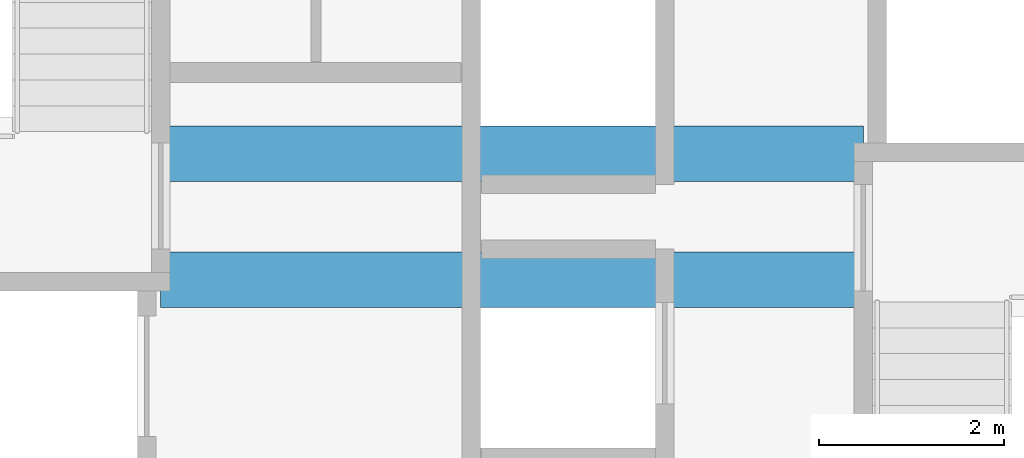
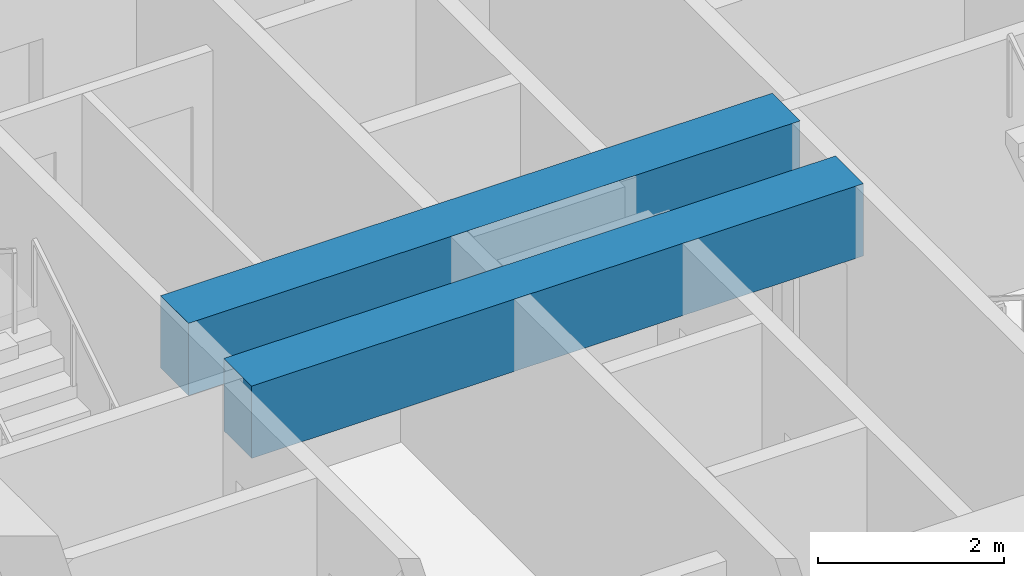
# One storey, part 7 of 46: 2 beams.
"""IFC4 building model written with IfcOpenShell, lengths in metres."""

import ifcopenshell
import ifcopenshell.guid

model = None  # the IFC model being written
_history = None  # IfcOwnerHistory: only IFC2X3 demands one
_inside = {}  # id of a spatial element -> (the spatial element, [elements in it])
_under = {}  # id of a project, library or spatial element -> (it, [spatial elements below it])
_declared = {}  # id of a project -> (the project, [libraries it declares])
_typed = {}  # id of a type object -> (the type object, [elements of that type])
_made_of = {}  # id of a material, layer set ... -> (it, [elements and type objects made of it])


def new_model(schema):
    """Start an empty IFC model of exactly this schema.

    Asked for "IFC4X3", IfcOpenShell would pick the latest addendum, in which some entities
    have other attributes; the version numbers below select the first issue.
    IFC2X3 requires an IfcOwnerHistory on every rooted entity: one is made here for all.
    """
    global model, _history
    if schema == "IFC4X3":
        model = ifcopenshell.file(schema_version=(4, 3, 0, 0))
    else:
        model = ifcopenshell.file(schema=schema)
    _inside.clear()
    _under.clear()
    _declared.clear()
    _typed.clear()
    _made_of.clear()
    _history = None
    if model.schema == "IFC2X3":
        org = make("IfcOrganization", Name="unknown")
        user = make(
            "IfcPersonAndOrganization",
            ThePerson=make("IfcPerson", FamilyName="unknown"),
            TheOrganization=org,
        )
        app = make(
            "IfcApplication",
            ApplicationDeveloper=org,
            Version="unknown",
            ApplicationFullName="unknown",
            ApplicationIdentifier="unknown",
        )
        _history = make(
            "IfcOwnerHistory",
            OwningUser=user,
            OwningApplication=app,
            ChangeAction="ADDED",
            CreationDate=0,
        )
    return model


def make(cls, **values):
    """One entity of the class cls with the attributes given. An attribute that is None is left unset."""
    return model.create_entity(
        cls, **{name: value for name, value in values.items() if value is not None}
    )


def rooted(cls, **values):
    """An entity with a GlobalId (a new one), such as an element, a storey or a relation."""
    return make(cls, GlobalId=ifcopenshell.guid.new(), OwnerHistory=_history, **values)


def si_unit(unit_type, name, prefix=None):
    """IfcSIUnit, for example si_unit("LENGTHUNIT", "METRE", prefix="MILLI")."""
    return make("IfcSIUnit", UnitType=unit_type, Prefix=prefix, Name=name)


def assignment(units):
    """IfcUnitAssignment: the units of a project."""
    return None if units is None else make("IfcUnitAssignment", Units=units)


def point(xyz):
    """IfcCartesianPoint."""
    return None if xyz is None else make("IfcCartesianPoint", Coordinates=xyz)


def direction(xyz):
    """IfcDirection."""
    return None if xyz is None else make("IfcDirection", DirectionRatios=xyz)


def frame(location, z_axis=None, x_axis=None):
    """IfcAxis2Placement3D, a coordinate frame: its origin and axes. An axis left out is left unset."""
    return make(
        "IfcAxis2Placement3D",
        Location=point(location),
        Axis=direction(z_axis),
        RefDirection=direction(x_axis),
    )


def frame_2d(location, x_axis=None):
    """IfcAxis2Placement2D, a coordinate frame in the plane: its origin and x axis."""
    return make(
        "IfcAxis2Placement2D", Location=point(location), RefDirection=direction(x_axis)
    )


def origin():
    """The frame at (0, 0, 0) with its axes left unset."""
    return frame((0.0, 0.0, 0.0))


def origin_2d():
    """The frame at (0, 0) in the plane with its x axis left unset."""
    return frame_2d((0.0, 0.0))


def place(relative_to, where):
    """IfcLocalPlacement: puts the frame where relative to a parent placement (None: the world)."""
    return make(
        "IfcLocalPlacement", PlacementRelTo=relative_to, RelativePlacement=where
    )


def context(
    kind, dimensions, precision=None, world=None, true_north=None, identifier=None
):
    """IfcGeometricRepresentationContext, for example the 3D "Model" context."""
    return make(
        "IfcGeometricRepresentationContext",
        ContextIdentifier=identifier,
        ContextType=kind,
        CoordinateSpaceDimension=dimensions,
        Precision=precision,
        WorldCoordinateSystem=world,
        TrueNorth=true_north,
    )


def subcontext(parent, identifier, kind, view, scale=None):
    """IfcGeometricRepresentationSubContext, for example "Body" below "Model"."""
    return make(
        "IfcGeometricRepresentationSubContext",
        ContextIdentifier=identifier,
        ContextType=kind,
        ParentContext=parent,
        TargetScale=scale,
        TargetView=view,
    )


def project(units=None, contexts=None):
    """IfcProject with its units and contexts."""
    return rooted(
        "IfcProject",
        Name="project",
        RepresentationContexts=contexts,
        UnitsInContext=assignment(units),
    )


def spatial(cls, under=None, at=None, **own):
    """A site, building, storey or space (cls), placed at a placement, below another one or the project."""
    s = rooted(cls, ObjectPlacement=at, **own)
    if under is not None:
        _under.setdefault(under.id(), (under, []))[1].append(s)
    return s


def profile(cls, at=None, kind="AREA", **sizes):
    """A parametric profile (cls). Its sizes go by their IFC names, for example OverallWidth=200.0."""
    return make(cls, ProfileType=kind, Position=at, **sizes)


def rectangle(**sizes):
    """IfcRectangleProfileDef."""
    return profile("IfcRectangleProfileDef", **sizes)


def extrude(swept, where, along, depth):
    """IfcExtrudedAreaSolid: the profile swept, set in the frame where, extruded along a direction by depth."""
    return make(
        "IfcExtrudedAreaSolid",
        SweptArea=swept,
        Position=where,
        ExtrudedDirection=direction(along),
        Depth=depth,
    )


def shape(context_of_items, identifier, shape_type, items):
    """IfcShapeRepresentation: the items that make up one representation, for example the "Body"."""
    return make(
        "IfcShapeRepresentation",
        ContextOfItems=context_of_items,
        RepresentationIdentifier=identifier,
        RepresentationType=shape_type,
        Items=items,
    )


def material(Name=None, Category=None):
    """IfcMaterial."""
    return make("IfcMaterial", Name=Name, Category=Category)


def material_profile(
    of_material, cross_section, Name=None, Category=None, Priority=None
):
    """IfcMaterialProfile: a cross section and its material."""
    return make(
        "IfcMaterialProfile",
        Name=Name,
        Material=of_material,
        Profile=cross_section,
        Priority=Priority,
        Category=Category,
    )


def profile_set(profiles, Name=None, composite=None):
    """IfcMaterialProfileSet."""
    return make(
        "IfcMaterialProfileSet",
        Name=Name,
        MaterialProfiles=profiles,
        CompositeProfile=composite,
    )


def made_of(thing, what):
    """Note that an element or type object is made of a material, layer set ...; save() writes the relation."""
    if what is not None:
        _made_of.setdefault(what.id(), (what, []))[1].append(thing)
    return thing


def type_object(cls, material=None, **own):
    """A type object (cls), such as IfcWallType, which elements share."""
    return made_of(rooted(cls, **own), material)


def element(
    cls,
    number,
    at=None,
    inside=None,
    cuts=None,
    type_object=None,
    material=None,
    context=None,
    identifier="Body",
    shape_type=None,
    held_by="IfcProductDefinitionShape",
    body=None,
    shapes=None,
    **own,
):
    """One element of the class cls, such as IfcWall. Its Tag is "e" and its number.

    at: its placement. inside: the storey or other place that contains it. cuts: it is an
    opening in that element (IfcRelVoidsElement). A single representation is given by context,
    identifier, shape_type and body (its items); several are given by shapes. held_by: the class
    of the entity that holds the representations. save() writes the other relations.
    """
    e = rooted(cls, Tag="e%d" % number, ObjectPlacement=at, **own)
    if body is not None:
        shapes = [shape(context, identifier, shape_type, body)]
    if shapes is not None:
        e.Representation = make(held_by, Representations=shapes)
    if inside is not None:
        _inside.setdefault(inside.id(), (inside, []))[1].append(e)
    if cuts is not None:
        rooted(
            "IfcRelVoidsElement", RelatingBuildingElement=cuts, RelatedOpeningElement=e
        )
    if type_object is not None:
        _typed.setdefault(type_object.id(), (type_object, []))[1].append(e)
    return made_of(e, material)


def aggregate(whole, parts):
    """IfcRelAggregates: a whole, such as a stair, and the parts it consists of."""
    return rooted("IfcRelAggregates", RelatingObject=whole, RelatedObjects=parts)


def save(model, path):
    """Write the relations noted so far, then the file.

    IfcRelAggregates (storeys below a building ...), IfcRelContainedInSpatialStructure (elements
    in a storey), IfcRelDefinesByType, IfcRelAssociatesMaterial and IfcRelDeclares: one each for
    every whole, place, type object, material and project.
    """
    for whole, parts in _under.values():
        aggregate(whole, parts)
    for where, things in _inside.values():
        rooted(
            "IfcRelContainedInSpatialStructure",
            RelatedElements=things,
            RelatingStructure=where,
        )
    for kind, things in _typed.values():
        rooted("IfcRelDefinesByType", RelatedObjects=things, RelatingType=kind)
    for what, things in _made_of.values():
        rooted("IfcRelAssociatesMaterial", RelatedObjects=things, RelatingMaterial=what)
    for by, libraries in _declared.values():
        rooted("IfcRelDeclares", RelatingContext=by, RelatedDefinitions=libraries)
    model.write(path)


model = new_model("IFC4")

# Units and contexts
model_context = context("Model", 3, precision=1e-05, world=origin(), true_north=direction((0.0, 1.0)))
body_context = subcontext(model_context, "Body", "Model", "MODEL_VIEW")
ifc_project = project(units=[si_unit("LENGTHUNIT", "METRE"), si_unit("AREAUNIT", "SQUARE_METRE"), si_unit("VOLUMEUNIT", "CUBIC_METRE"), si_unit("PLANEANGLEUNIT", "RADIAN"), si_unit("MASSUNIT", "GRAM", prefix="KILO")], contexts=[model_context])

# Site, building, storey
site_placement = place(None, origin())
site = spatial("IfcSite", under=ifc_project, at=site_placement, CompositionType="ELEMENT")
building_placement = place(site_placement, origin())
building = spatial("IfcBuilding", under=site, at=building_placement, Name="Tashvorn Skyway Center", CompositionType="ELEMENT")
storey_placement = place(building_placement, frame((0.0, 0.0, 38.800048828125)))
storey = spatial("IfcBuildingStorey", under=building, at=storey_placement, Name="L09", CompositionType="ELEMENT", Elevation=38.800048828125)

# Beams
ifc_material = material(Name="Concrete C60/75", Category="concrete")
ifc_material_profile = material_profile(ifc_material, rectangle(XDim=0.60009765625, YDim=0.949951171875, at=origin_2d()), Name="RCB600x950")
ifc_profile_set = profile_set([ifc_material_profile], Name="Concrete C60/75")
beam_type = type_object("IfcBeamType", Name="BM-LINTEL-RCB600x950", PredefinedType="LINTEL", material=ifc_profile_set)
for number, where, z_axis, x_axis, name in (
    (1, (38.199951171875, 32.679931640625, 2.875), (1.0, 0.0, 0.0), (0.0, 1.0, 0.0), "Tower 1 L09 Core Coupling Beam CN"),
    (2, (38.199951171875, 31.320068359375, 2.875), (1.0, 0.0, 0.0), (0.0, 1.0, 0.0), "Tower 1 L09 Core Coupling Beam CS"),
):
    element("IfcBeam", number, at=place(storey_placement, frame(where, z_axis=z_axis, x_axis=x_axis)), inside=storey, type_object=beam_type, Name=name, PredefinedType="LINTEL", context=body_context, shape_type="SweptSolid", body=[
        extrude(rectangle(XDim=0.60009765625, YDim=0.949951171875, at=origin_2d()), origin(), (0.0, 0.0, 1.0), 7.60009765625),
    ])

save(model, "model.ifc")
